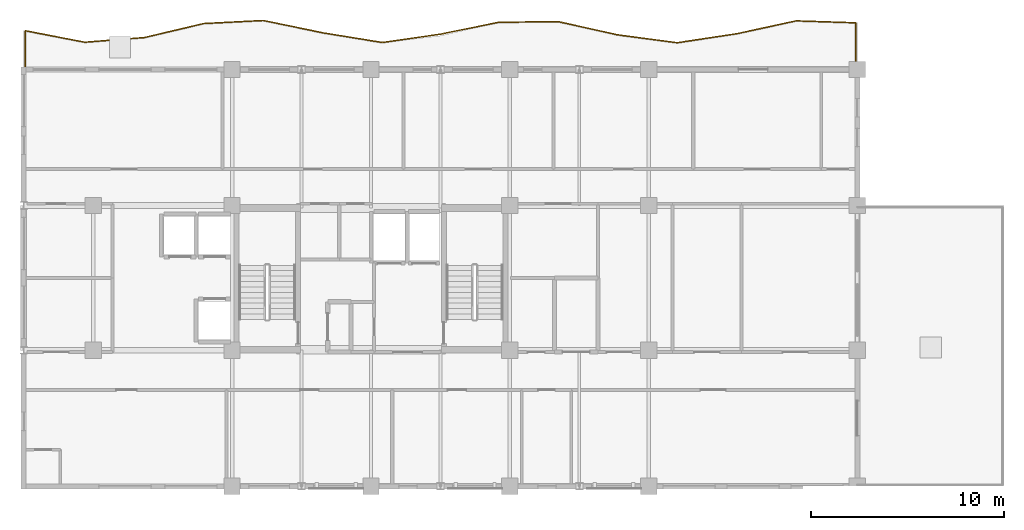
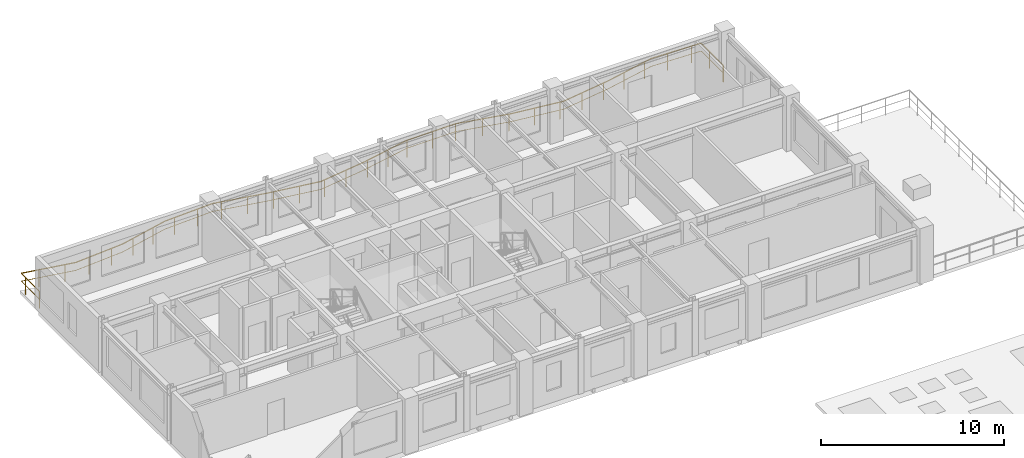
# One storey, part 8 of 8: 1 railing.
"""IFC4 building model written with IfcOpenShell, lengths in metres."""

from ifc_helpers import new_model, si_unit, direction, frame, origin, origin_2d, place, context, subcontext, project, spatial, rectangle, extrude, material, type_object, element, save


model = new_model("IFC4")

# Units and contexts
model_context = context("Model", 3, precision=1e-05, world=origin(), true_north=direction((0.0, 1.0)))
body_context = subcontext(model_context, "Body", "Model", "MODEL_VIEW")
ifc_project = project(units=[si_unit("LENGTHUNIT", "METRE"), si_unit("AREAUNIT", "SQUARE_METRE"), si_unit("VOLUMEUNIT", "CUBIC_METRE"), si_unit("PLANEANGLEUNIT", "RADIAN"), si_unit("MASSUNIT", "GRAM", prefix="KILO")], contexts=[model_context])

# Site, building, storey
site_placement = place(None, origin())
site = spatial("IfcSite", under=ifc_project, at=site_placement, CompositionType="ELEMENT")
building_placement = place(site_placement, origin())
building = spatial("IfcBuilding", under=site, at=building_placement, Name="Kaliganga Portal Commons", CompositionType="ELEMENT")
storey_placement = place(building_placement, frame((0.0, 0.0, 249.89990234375)))
storey = spatial("IfcBuildingStorey", under=building, at=storey_placement, Name="L64", CompositionType="ELEMENT", Elevation=249.89990234375)

# Railing
ifc_material = material(Name="Laminated Safety Glass and Stainless Steel 316", Category="steel")
railing_type = type_object("IfcRailingType", Name="RLG-BAL-1150", PredefinedType="BALUSTRADE", material=ifc_material)
railing_placement = place(storey_placement, frame((46.72021484375, 43.20654296875, 0.0)))
element("IfcRailing", 1, at=railing_placement, inside=storey, type_object=railing_type, Name="Balcony Guardrail L64 balc_north", PredefinedType="BALUSTRADE", context=body_context, shape_type="SweptSolid", body=[
    extrude(rectangle(XDim=0.048095703125, YDim=0.048095703125, at=origin_2d()), frame((0.0, 0.0, 1.1259765625), z_axis=(-0.00010119409, 0.99999999488, 0.0), x_axis=(-0.99999999488, -0.00010119409, 0.0)), (0.0, 0.0, 1.0), 2.41259765625),
    extrude(rectangle(XDim=0.028076171875, YDim=0.028076171875, at=origin_2d()), frame((0.0, 0.0, 0.597900390625), z_axis=(-0.00010119409, 0.99999999488, 0.0), x_axis=(-0.99999999488, -0.00010119409, 0.0)), (0.0, 0.0, 1.0), 2.41259765625),
    extrude(rectangle(XDim=0.048095703125, YDim=0.048095703125, at=origin_2d()), frame((-0.000244140625, 2.41259765625, 1.1259765625), z_axis=(-0.999466461543, 0.032661785774, 0.0), x_axis=(-0.032661785774, -0.999466461543, 0.0)), (0.0, 0.0, 1.0), 3.087158203125),
    extrude(rectangle(XDim=0.028076171875, YDim=0.028076171875, at=origin_2d()), frame((-0.000244140625, 2.41259765625, 0.597900390625), z_axis=(-0.999466461543, 0.032661785774, 0.0), x_axis=(-0.032661785774, -0.999466461543, 0.0)), (0.0, 0.0, 1.0), 3.087158203125),
    extrude(rectangle(XDim=0.048095703125, YDim=0.048095703125, at=origin_2d()), frame((-3.085693359375, 2.513427734375, 1.1259765625), z_axis=(-0.977381778042, -0.211482528714, 0.0), x_axis=(0.211482528714, -0.977381778042, 0.0)), (0.0, 0.0, 1.0), 3.157470703125),
    extrude(rectangle(XDim=0.028076171875, YDim=0.028076171875, at=origin_2d()), frame((-3.085693359375, 2.513427734375, 0.597900390625), z_axis=(-0.977381778042, -0.211482528714, 0.0), x_axis=(0.211482528714, -0.977381778042, 0.0)), (0.0, 0.0, 1.0), 3.157470703125),
    extrude(rectangle(XDim=0.048095703125, YDim=0.048095703125, at=origin_2d()), frame((-6.171630859375, 1.845703125, 1.1259765625), z_axis=(-0.988738666211, -0.14965243045, 0.0), x_axis=(0.14965243045, -0.988738666211, 0.0)), (0.0, 0.0, 1.0), 3.120849609375),
    extrude(rectangle(XDim=0.028076171875, YDim=0.028076171875, at=origin_2d()), frame((-6.171630859375, 1.845703125, 0.597900390625), z_axis=(-0.988738666211, -0.14965243045, 0.0), x_axis=(0.14965243045, -0.988738666211, 0.0)), (0.0, 0.0, 1.0), 3.120849609375),
    extrude(rectangle(XDim=0.048095703125, YDim=0.048095703125, at=origin_2d()), frame((-9.25732421875, 1.378662109375, 1.1259765625), z_axis=(-0.991311954562, 0.131531778448, 0.0), x_axis=(-0.131531778448, -0.991311954562, 0.0)), (0.0, 0.0, 1.0), 3.11279296875),
    extrude(rectangle(XDim=0.028076171875, YDim=0.028076171875, at=origin_2d()), frame((-9.25732421875, 1.378662109375, 0.597900390625), z_axis=(-0.991311954562, 0.131531778448, 0.0), x_axis=(-0.131531778448, -0.991311954562, 0.0)), (0.0, 0.0, 1.0), 3.11279296875),
    extrude(rectangle(XDim=0.048095703125, YDim=0.048095703125, at=origin_2d()), frame((-12.343017578125, 1.7880859375, 1.1259765625), z_axis=(-0.976059676395, 0.2175028922, 0.0), x_axis=(-0.2175028922, -0.976059676395, 0.0)), (0.0, 0.0, 1.0), 3.160888671875),
    extrude(rectangle(XDim=0.028076171875, YDim=0.028076171875, at=origin_2d()), frame((-12.343017578125, 1.7880859375, 0.597900390625), z_axis=(-0.976059676395, 0.2175028922, 0.0), x_axis=(-0.2175028922, -0.976059676395, 0.0)), (0.0, 0.0, 1.0), 3.160888671875),
    extrude(rectangle(XDim=0.048095703125, YDim=0.048095703125, at=origin_2d()), frame((-15.42822265625, 2.4755859375, 1.1259765625), z_axis=(-0.999924738759, -0.012268529606, 0.0), x_axis=(0.012268529606, -0.999924738759, 0.0)), (0.0, 0.0, 1.0), 3.08447265625),
    extrude(rectangle(XDim=0.028076171875, YDim=0.028076171875, at=origin_2d()), frame((-15.42822265625, 2.4755859375, 0.597900390625), z_axis=(-0.999924738759, -0.012268529606, 0.0), x_axis=(0.012268529606, -0.999924738759, 0.0)), (0.0, 0.0, 1.0), 3.08447265625),
    extrude(rectangle(XDim=0.048095703125, YDim=0.048095703125, at=origin_2d()), frame((-18.512451171875, 2.437744140625, 1.1259765625), z_axis=(-0.979714932283, -0.200396236149, 0.0), x_axis=(0.200396236149, -0.979714932283, 0.0)), (0.0, 0.0, 1.0), 3.070068359375),
    extrude(rectangle(XDim=0.028076171875, YDim=0.028076171875, at=origin_2d()), frame((-18.512451171875, 2.437744140625, 0.597900390625), z_axis=(-0.979714932283, -0.200396236149, 0.0), x_axis=(0.200396236149, -0.979714932283, 0.0)), (0.0, 0.0, 1.0), 3.070068359375),
    extrude(rectangle(XDim=0.048095703125, YDim=0.048095703125, at=origin_2d()), frame((-21.520263671875, 1.822509765625, 1.1259765625), z_axis=(-0.989826943197, -0.142276570526, 0.0), x_axis=(0.142276570526, -0.989826943197, 0.0)), (0.0, 0.0, 1.0), 3.037353515625),
    extrude(rectangle(XDim=0.028076171875, YDim=0.028076171875, at=origin_2d()), frame((-21.520263671875, 1.822509765625, 0.597900390625), z_axis=(-0.989826943197, -0.142276570526, 0.0), x_axis=(0.142276570526, -0.989826943197, 0.0)), (0.0, 0.0, 1.0), 3.037353515625),
    extrude(rectangle(XDim=0.048095703125, YDim=0.048095703125, at=origin_2d()), frame((-24.526611328125, 1.390380859375, 1.1259765625), z_axis=(-0.986995167936, 0.160749925262, 0.0), x_axis=(-0.160749925262, -0.986995167936, 0.0)), (0.0, 0.0, 1.0), 3.12548828125),
    extrude(rectangle(XDim=0.028076171875, YDim=0.028076171875, at=origin_2d()), frame((-24.526611328125, 1.390380859375, 0.597900390625), z_axis=(-0.986995167936, 0.160749925262, 0.0), x_axis=(-0.160749925262, -0.986995167936, 0.0)), (0.0, 0.0, 1.0), 3.12548828125),
    extrude(rectangle(XDim=0.048095703125, YDim=0.048095703125, at=origin_2d()), frame((-27.611572265625, 1.892822265625, 1.1259765625), z_axis=(-0.979201548116, 0.202889941022, 0.0), x_axis=(-0.202889941022, -0.979201548116, 0.0)), (0.0, 0.0, 1.0), 3.1513671875),
    extrude(rectangle(XDim=0.028076171875, YDim=0.028076171875, at=origin_2d()), frame((-27.611572265625, 1.892822265625, 0.597900390625), z_axis=(-0.979201548116, 0.202889941022, 0.0), x_axis=(-0.202889941022, -0.979201548116, 0.0)), (0.0, 0.0, 1.0), 3.1513671875),
    extrude(rectangle(XDim=0.048095703125, YDim=0.048095703125, at=origin_2d()), frame((-30.697509765625, 2.5322265625, 1.1259765625), z_axis=(-0.998704397839, -0.050887382879, 0.0), x_axis=(0.050887382879, -0.998704397839, 0.0)), (0.0, 0.0, 1.0), 3.089599609375),
    extrude(rectangle(XDim=0.028076171875, YDim=0.028076171875, at=origin_2d()), frame((-30.697509765625, 2.5322265625, 0.597900390625), z_axis=(-0.998704397839, -0.050887382879, 0.0), x_axis=(0.050887382879, -0.998704397839, 0.0)), (0.0, 0.0, 1.0), 3.089599609375),
    extrude(rectangle(XDim=0.048095703125, YDim=0.048095703125, at=origin_2d()), frame((-33.783203125, 2.375, 1.1259765625), z_axis=(-0.973294828091, -0.229558658323, 0.0), x_axis=(0.229558658323, -0.973294828091, 0.0)), (0.0, 0.0, 1.0), 3.17041015625),
    extrude(rectangle(XDim=0.028076171875, YDim=0.028076171875, at=origin_2d()), frame((-33.783203125, 2.375, 0.597900390625), z_axis=(-0.973294828091, -0.229558658323, 0.0), x_axis=(0.229558658323, -0.973294828091, 0.0)), (0.0, 0.0, 1.0), 3.17041015625),
    extrude(rectangle(XDim=0.048095703125, YDim=0.048095703125, at=origin_2d()), frame((-36.868896484375, 1.647216796875, 1.1259765625), z_axis=(-0.996958599257, -0.077932992805, 0.0), x_axis=(0.077932992805, -0.996958599257, 0.0)), (0.0, 0.0, 1.0), 3.09521484375),
    extrude(rectangle(XDim=0.028076171875, YDim=0.028076171875, at=origin_2d()), frame((-36.868896484375, 1.647216796875, 0.597900390625), z_axis=(-0.996958599257, -0.077932992805, 0.0), x_axis=(0.077932992805, -0.996958599257, 0.0)), (0.0, 0.0, 1.0), 3.09521484375),
    extrude(rectangle(XDim=0.048095703125, YDim=0.048095703125, at=origin_2d()), frame((-39.95458984375, 1.406005859375, 1.1259765625), z_axis=(-0.981812560304, 0.18985282834, 0.0), x_axis=(-0.18985282834, -0.981812560304, 0.0)), (0.0, 0.0, 1.0), 3.142822265625),
    extrude(rectangle(XDim=0.028076171875, YDim=0.028076171875, at=origin_2d()), frame((-39.95458984375, 1.406005859375, 0.597900390625), z_axis=(-0.981812560304, 0.18985282834, 0.0), x_axis=(-0.18985282834, -0.981812560304, 0.0)), (0.0, 0.0, 1.0), 3.142822265625),
    extrude(rectangle(XDim=0.048095703125, YDim=0.048095703125, at=origin_2d()), frame((-43.040283203125, 2.002685546875, 1.1259765625), z_axis=(-0.000121906619, -0.999999992569, 0.0), x_axis=(0.999999992569, -0.000121906619, 0.0)), (0.0, 0.0, 1.0), 2.002685546875),
    extrude(rectangle(XDim=0.028076171875, YDim=0.028076171875, at=origin_2d()), frame((-43.040283203125, 2.002685546875, 0.597900390625), z_axis=(-0.000121906619, -0.999999992569, 0.0), x_axis=(0.999999992569, -0.000121906619, 0.0)), (0.0, 0.0, 1.0), 2.002685546875),
    extrude(rectangle(XDim=0.0419921875, YDim=0.0419921875, at=origin_2d()), origin(), (0.0, 0.0, 1.0), 1.101806640625),
    extrude(rectangle(XDim=0.0419921875, YDim=0.0419921875, at=origin_2d()), frame((-0.000244140625, 1.5, 0.0)), (0.0, 0.0, 1.0), 1.101806640625),
    extrude(rectangle(XDim=0.0419921875, YDim=0.0419921875, at=origin_2d()), frame((-0.58740234375, 2.431884765625, 0.0)), (0.0, 0.0, 1.0), 1.101806640625),
    extrude(rectangle(XDim=0.0419921875, YDim=0.0419921875, at=origin_2d()), frame((-2.08642578125, 2.480712890625, 0.0)), (0.0, 0.0, 1.0), 1.101806640625),
    extrude(rectangle(XDim=0.0419921875, YDim=0.0419921875, at=origin_2d()), frame((-3.57470703125, 2.40771484375, 0.0)), (0.0, 0.0, 1.0), 1.101806640625),
    extrude(rectangle(XDim=0.0419921875, YDim=0.0419921875, at=origin_2d()), frame((-5.040771484375, 2.09033203125, 0.0)), (0.0, 0.0, 1.0), 1.101806640625),
    extrude(rectangle(XDim=0.0419921875, YDim=0.0419921875, at=origin_2d()), frame((-6.5107421875, 1.79443359375, 0.0)), (0.0, 0.0, 1.0), 1.101806640625),
    extrude(rectangle(XDim=0.0419921875, YDim=0.0419921875, at=origin_2d()), frame((-7.993896484375, 1.56982421875, 0.0)), (0.0, 0.0, 1.0), 1.101806640625),
    extrude(rectangle(XDim=0.0419921875, YDim=0.0419921875, at=origin_2d()), frame((-9.4775390625, 1.407958984375, 0.0)), (0.0, 0.0, 1.0), 1.101806640625),
    extrude(rectangle(XDim=0.0419921875, YDim=0.0419921875, at=origin_2d()), frame((-10.964599609375, 1.605224609375, 0.0)), (0.0, 0.0, 1.0), 1.101806640625),
    extrude(rectangle(XDim=0.0419921875, YDim=0.0419921875, at=origin_2d()), frame((-12.44970703125, 1.811767578125, 0.0)), (0.0, 0.0, 1.0), 1.101806640625),
    extrude(rectangle(XDim=0.0419921875, YDim=0.0419921875, at=origin_2d()), frame((-13.913818359375, 2.13818359375, 0.0)), (0.0, 0.0, 1.0), 1.101806640625),
    extrude(rectangle(XDim=0.0419921875, YDim=0.0419921875, at=origin_2d()), frame((-15.42822265625, 2.4755859375, 0.0)), (0.0, 0.0, 1.0), 1.101806640625),
    extrude(rectangle(XDim=0.0419921875, YDim=0.0419921875, at=origin_2d()), frame((-16.876708984375, 2.457763671875, 0.0)), (0.0, 0.0, 1.0), 1.101806640625),
    extrude(rectangle(XDim=0.0419921875, YDim=0.0419921875, at=origin_2d()), frame((-18.512451171875, 2.437744140625, 0.0)), (0.0, 0.0, 1.0), 1.101806640625),
    extrude(rectangle(XDim=0.0419921875, YDim=0.0419921875, at=origin_2d()), frame((-19.848876953125, 2.164306640625, 0.0)), (0.0, 0.0, 1.0), 1.101806640625),
    extrude(rectangle(XDim=0.0419921875, YDim=0.0419921875, at=origin_2d()), frame((-21.318359375, 1.86376953125, 0.0)), (0.0, 0.0, 1.0), 1.101806640625),
    extrude(rectangle(XDim=0.0419921875, YDim=0.0419921875, at=origin_2d()), frame((-22.801025390625, 1.638427734375, 0.0)), (0.0, 0.0, 1.0), 1.101806640625),
    extrude(rectangle(XDim=0.0419921875, YDim=0.0419921875, at=origin_2d()), frame((-24.285888671875, 1.425048828125, 0.0)), (0.0, 0.0, 1.0), 1.101806640625),
    extrude(rectangle(XDim=0.0419921875, YDim=0.0419921875, at=origin_2d()), frame((-25.76708984375, 1.59228515625, 0.0)), (0.0, 0.0, 1.0), 1.101806640625),
    extrude(rectangle(XDim=0.0419921875, YDim=0.0419921875, at=origin_2d()), frame((-27.24755859375, 1.83349609375, 0.0)), (0.0, 0.0, 1.0), 1.101806640625),
    extrude(rectangle(XDim=0.0419921875, YDim=0.0419921875, at=origin_2d()), frame((-28.71923828125, 2.122314453125, 0.0)), (0.0, 0.0, 1.0), 1.101806640625),
    extrude(rectangle(XDim=0.0419921875, YDim=0.0419921875, at=origin_2d()), frame((-30.18798828125, 2.4267578125, 0.0)), (0.0, 0.0, 1.0), 1.101806640625),
    extrude(rectangle(XDim=0.0419921875, YDim=0.0419921875, at=origin_2d()), frame((-31.67578125, 2.482421875, 0.0)), (0.0, 0.0, 1.0), 1.101806640625),
    extrude(rectangle(XDim=0.0419921875, YDim=0.0419921875, at=origin_2d()), frame((-33.173828125, 2.406005859375, 0.0)), (0.0, 0.0, 1.0), 1.101806640625),
    extrude(rectangle(XDim=0.0419921875, YDim=0.0419921875, at=origin_2d()), frame((-34.6494140625, 2.170654296875, 0.0)), (0.0, 0.0, 1.0), 1.101806640625),
    extrude(rectangle(XDim=0.0419921875, YDim=0.0419921875, at=origin_2d()), frame((-36.109375, 1.826416015625, 0.0)), (0.0, 0.0, 1.0), 1.101806640625),
    extrude(rectangle(XDim=0.0419921875, YDim=0.0419921875, at=origin_2d()), frame((-37.586181640625, 1.591064453125, 0.0)), (0.0, 0.0, 1.0), 1.101806640625),
    extrude(rectangle(XDim=0.0419921875, YDim=0.0419921875, at=origin_2d()), frame((-39.081787109375, 1.47412109375, 0.0)), (0.0, 0.0, 1.0), 1.101806640625),
    extrude(rectangle(XDim=0.0419921875, YDim=0.0419921875, at=origin_2d()), frame((-40.567626953125, 1.524658203125, 0.0)), (0.0, 0.0, 1.0), 1.101806640625),
    extrude(rectangle(XDim=0.0419921875, YDim=0.0419921875, at=origin_2d()), frame((-42.040283203125, 1.809326171875, 0.0)), (0.0, 0.0, 1.0), 1.101806640625),
    extrude(rectangle(XDim=0.0419921875, YDim=0.0419921875, at=origin_2d()), frame((-43.040283203125, 1.52099609375, 0.0)), (0.0, 0.0, 1.0), 1.101806640625),
    extrude(rectangle(XDim=0.0419921875, YDim=0.0419921875, at=origin_2d()), frame((-43.04052734375, 0.0, 0.0)), (0.0, 0.0, 1.0), 1.101806640625),
])

save(model, "model.ifc")
